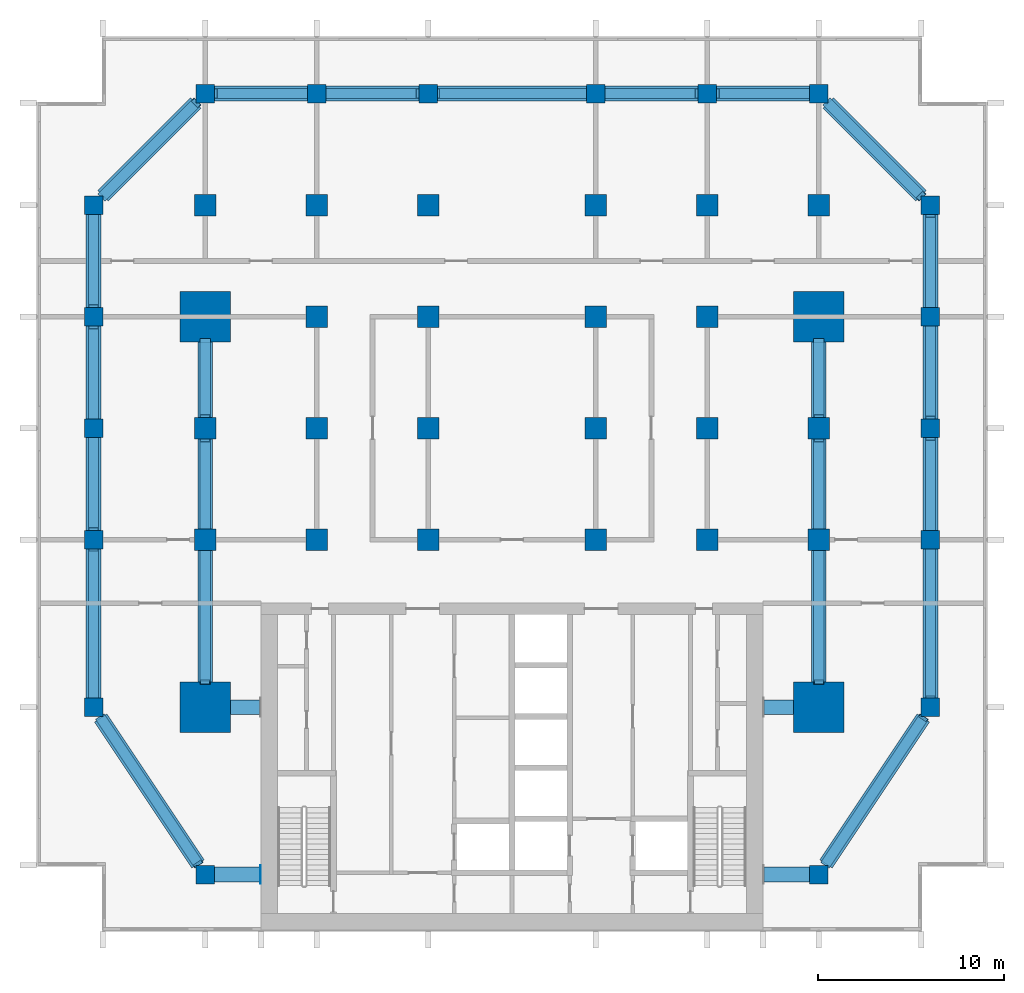
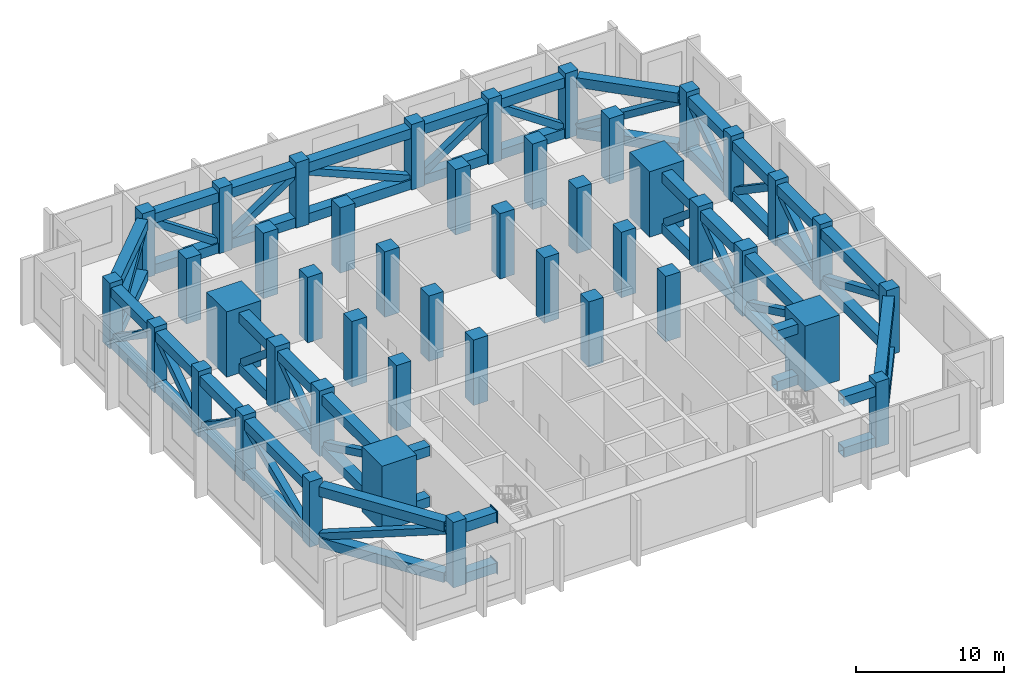
# One storey, part 1 of 12: 77 members, 44 columns, 2 plates.
"""IFC4 building model written with IfcOpenShell, lengths in metres."""

from ifc_helpers import new_model, si_unit, direction, frame, origin, origin_2d, place, context, subcontext, project, spatial, rectangle, hollow_rectangle, extrude, material, layer, layer_set, material_profile, profile_set, type_object, element, save


model = new_model("IFC4")

# Units and contexts
model_context = context("Model", 3, precision=1e-05, world=origin(), true_north=direction((0.0, 1.0)))
body_context = subcontext(model_context, "Body", "Model", "MODEL_VIEW")
ifc_project = project(units=[si_unit("LENGTHUNIT", "METRE"), si_unit("AREAUNIT", "SQUARE_METRE"), si_unit("VOLUMEUNIT", "CUBIC_METRE"), si_unit("PLANEANGLEUNIT", "RADIAN"), si_unit("MASSUNIT", "GRAM", prefix="KILO")], contexts=[model_context])

# Site, building, storey
site_placement = place(None, origin())
site = spatial("IfcSite", under=ifc_project, at=site_placement, CompositionType="ELEMENT")
building_placement = place(site_placement, origin())
building = spatial("IfcBuilding", under=site, at=building_placement, Name="Finial Court Residences", CompositionType="ELEMENT")
storey_placement = place(building_placement, frame((0.0, 0.0, 143.89990234375)))
storey = spatial("IfcBuildingStorey", under=building, at=storey_placement, Name="L35", CompositionType="ELEMENT", Elevation=143.89990234375)

# Columns
ifc_material_1 = material(Name="Concrete C70/85", Category="concrete")
ifc_material_profile_1 = material_profile(ifc_material_1, rectangle(XDim=1.14990234375, YDim=1.14990234375, at=origin_2d()), Name="1150x1150")
ifc_profile_set_1 = profile_set([ifc_material_profile_1], Name="Concrete C70/85")
column_type_1 = type_object("IfcColumnType", Name="Interior column 1150x1150 Concrete C70/85", PredefinedType="COLUMN", material=ifc_profile_set_1)
for number, where, z_axis, x_axis, name in (
    (1, (-16.5, -4.5, 0.0), (0.0, 0.0, 1.0), (1.0, 0.0, 0.0), "S:COL:L35:C4"),
    (2, (-16.5, 1.5, 0.0), (0.0, 0.0, 1.0), (1.0, 0.0, 0.0), "S:COL:L35:C5"),
    (3, (-16.5, 13.5, 0.0), (0.0, 0.0, 1.0), (1.0, 0.0, 0.0), "S:COL:L35:C7"),
    (4, (-10.5, -4.5, 0.0), (0.0, 0.0, 1.0), (1.0, 0.0, 0.0), "S:COL:L35:D4"),
    (5, (-10.5, 1.5, 0.0), (0.0, 0.0, 1.0), (1.0, 0.0, 0.0), "S:COL:L35:D5"),
    (6, (-10.5, 7.5, 0.0), (0.0, 0.0, 1.0), (1.0, 0.0, 0.0), "S:COL:L35:D6"),
    (7, (-10.5, 13.5, 0.0), (0.0, 0.0, 1.0), (1.0, 0.0, 0.0), "S:COL:L35:D7"),
    (8, (-4.5, -4.5, 0.0), (0.0, 0.0, 1.0), (1.0, 0.0, 0.0), "S:COL:L35:E4"),
    (9, (-4.5, 1.5, 0.0), (0.0, 0.0, 1.0), (1.0, 0.0, 0.0), "S:COL:L35:E5"),
    (10, (-4.5, 7.5, 0.0), (0.0, 0.0, 1.0), (1.0, 0.0, 0.0), "S:COL:L35:E6"),
    (11, (-4.5, 13.5, 0.0), (0.0, 0.0, 1.0), (1.0, 0.0, 0.0), "S:COL:L35:E7"),
    (12, (4.5, -4.5, 0.0), (0.0, 0.0, 1.0), (1.0, 0.0, 0.0), "S:COL:L35:F4"),
    (13, (4.5, 1.5, 0.0), (0.0, 0.0, 1.0), (1.0, 0.0, 0.0), "S:COL:L35:F5"),
    (14, (4.5, 7.5, 0.0), (0.0, 0.0, 1.0), (1.0, 0.0, 0.0), "S:COL:L35:F6"),
    (15, (4.5, 13.5, 0.0), (0.0, 0.0, 1.0), (1.0, 0.0, 0.0), "S:COL:L35:F7"),
    (16, (10.5, -4.5, 0.0), (0.0, 0.0, 1.0), (1.0, 0.0, 0.0), "S:COL:L35:G4"),
    (17, (10.5, 1.5, 0.0), (0.0, 0.0, 1.0), (1.0, 0.0, 0.0), "S:COL:L35:G5"),
    (18, (10.5, 7.5, 0.0), (0.0, 0.0, 1.0), (1.0, 0.0, 0.0), "S:COL:L35:G6"),
    (19, (10.5, 13.5, 0.0), (0.0, 0.0, 1.0), (1.0, 0.0, 0.0), "S:COL:L35:G7"),
    (20, (16.5, -4.5, 0.0), (0.0, 0.0, 1.0), (1.0, 0.0, 0.0), "S:COL:L35:H4"),
    (21, (16.5, 1.5, 0.0), (0.0, 0.0, 1.0), (1.0, 0.0, 0.0), "S:COL:L35:H5"),
    (22, (16.5, 13.5, 0.0), (0.0, 0.0, 1.0), (1.0, 0.0, 0.0), "S:COL:L35:H7"),
):
    element("IfcColumn", number, at=place(storey_placement, frame(where, z_axis=z_axis, x_axis=x_axis)), inside=storey, type_object=column_type_1, Name=name, PredefinedType="COLUMN", context=body_context, shape_type="SweptSolid", body=[
        extrude(rectangle(XDim=1.14990234375, YDim=1.14990234375, at=origin_2d()), origin(), (0.0, 0.0, 1.0), 5.400146484375),
    ])
ifc_material_profile_2 = material_profile(ifc_material_1, rectangle(XDim=2.699951171875, YDim=2.699951171875, at=origin_2d()), Name="2700x2700")
ifc_profile_set_2 = profile_set([ifc_material_profile_2], Name="Concrete C70/85")
column_type_2 = type_object("IfcColumnType", Name="Mega column 2700x2700 Concrete C70/85", PredefinedType="COLUMN", material=ifc_profile_set_2)
for number, where, z_axis, x_axis, name in (
    (23, (-16.5, -13.5, 0.0), (0.0, 0.0, 1.0), (1.0, 0.0, 0.0), "S:COL:L35:C3"),
    (24, (-16.5, 7.5, 0.0), (0.0, 0.0, 1.0), (1.0, 0.0, 0.0), "S:COL:L35:C6"),
    (25, (16.5, -13.5, 0.0), (0.0, 0.0, 1.0), (1.0, 0.0, 0.0), "S:COL:L35:H3"),
    (26, (16.5, 7.5, 0.0), (0.0, 0.0, 1.0), (1.0, 0.0, 0.0), "S:COL:L35:H6"),
):
    element("IfcColumn", number, at=place(storey_placement, frame(where, z_axis=z_axis, x_axis=x_axis)), inside=storey, type_object=column_type_2, Name=name, PredefinedType="COLUMN", context=body_context, shape_type="SweptSolid", body=[
        extrude(rectangle(XDim=2.699951171875, YDim=2.699951171875, at=origin_2d()), origin(), (0.0, 0.0, 1.0), 5.400146484375),
    ])
ifc_material_profile_3 = material_profile(ifc_material_1, rectangle(XDim=1.0, YDim=1.0, at=origin_2d()), Name="1000x1000")
ifc_profile_set_3 = profile_set([ifc_material_profile_3], Name="Concrete C70/85")
column_type_3 = type_object("IfcColumnType", Name="Perimeter column 1000x1000 Concrete C70/85", PredefinedType="COLUMN", material=ifc_profile_set_3)
for number, where, z_axis, x_axis, name in (
    (27, (-22.5, -13.5, 0.0), (0.0, 0.0, 1.0), (1.0, 0.0, 0.0), "S:COL:L35:B3"),
    (28, (-22.5, -4.5, 0.0), (0.0, 0.0, 1.0), (1.0, 0.0, 0.0), "S:COL:L35:B4"),
    (29, (-22.5, 1.5, 0.0), (0.0, 0.0, 1.0), (1.0, 0.0, 0.0), "S:COL:L35:B5"),
    (30, (-22.5, 7.5, 0.0), (0.0, 0.0, 1.0), (1.0, 0.0, 0.0), "S:COL:L35:B6"),
    (31, (-22.5, 13.5, 0.0), (0.0, 0.0, 1.0), (1.0, 0.0, 0.0), "S:COL:L35:B7"),
    (32, (-16.5, -22.5, 0.0), (0.0, 0.0, 1.0), (1.0, 0.0, 0.0), "S:COL:L35:C2"),
    (33, (-16.5, 19.5, 0.0), (0.0, 0.0, 1.0), (1.0, 0.0, 0.0), "S:COL:L35:C8"),
    (34, (-10.5, 19.5, 0.0), (0.0, 0.0, 1.0), (1.0, 0.0, 0.0), "S:COL:L35:D8"),
    (35, (-4.5, 19.5, 0.0), (0.0, 0.0, 1.0), (1.0, 0.0, 0.0), "S:COL:L35:E8"),
    (36, (4.5, 19.5, 0.0), (0.0, 0.0, 1.0), (1.0, 0.0, 0.0), "S:COL:L35:F8"),
    (37, (10.5, 19.5, 0.0), (0.0, 0.0, 1.0), (1.0, 0.0, 0.0), "S:COL:L35:G8"),
    (38, (16.5, -22.5, 0.0), (0.0, 0.0, 1.0), (1.0, 0.0, 0.0), "S:COL:L35:H2"),
    (39, (16.5, 19.5, 0.0), (0.0, 0.0, 1.0), (1.0, 0.0, 0.0), "S:COL:L35:H8"),
    (40, (22.5, -13.5, 0.0), (0.0, 0.0, 1.0), (1.0, 0.0, 0.0), "S:COL:L35:I3"),
    (41, (22.5, -4.5, 0.0), (0.0, 0.0, 1.0), (1.0, 0.0, 0.0), "S:COL:L35:I4"),
    (42, (22.5, 1.5, 0.0), (0.0, 0.0, 1.0), (1.0, 0.0, 0.0), "S:COL:L35:I5"),
    (43, (22.5, 7.5, 0.0), (0.0, 0.0, 1.0), (1.0, 0.0, 0.0), "S:COL:L35:I6"),
    (44, (22.5, 13.5, 0.0), (0.0, 0.0, 1.0), (1.0, 0.0, 0.0), "S:COL:L35:I7"),
):
    element("IfcColumn", number, at=place(storey_placement, frame(where, z_axis=z_axis, x_axis=x_axis)), inside=storey, type_object=column_type_3, Name=name, PredefinedType="COLUMN", context=body_context, shape_type="SweptSolid", body=[
        extrude(rectangle(XDim=1.0, YDim=1.0, at=origin_2d()), origin(), (0.0, 0.0, 1.0), 5.400146484375),
    ])

# Members
ifc_material_2 = material(Name="Steel ASTM A572 Gr 50", Category="steel")
ifc_material_profile_4 = material_profile(ifc_material_2, hollow_rectangle(XDim=0.800048828125, YDim=0.800048828125, WallThickness=0.044921875, at=origin_2d()), Name="Box 800x800x45")
ifc_profile_set_4 = profile_set([ifc_material_profile_4], Name="Steel ASTM A572 Gr 50")
member_type_1 = type_object("IfcMemberType", Name="Belt truss chord Box 800x800x45", PredefinedType="CHORD", material=ifc_profile_set_4)
for number, where, z_axis, x_axis, name in (
    (45, (-13.550048828125, -22.5, 0.400146484375), (-1.0, 0.0, 0.0), (0.0, -1.0, 0.0), "S:TR:L35:01:B"),
    (46, (-13.550048828125, -22.5, 4.59912109375), (-1.0, 0.0, 0.0), (0.0, -1.0, 0.0), "S:TR:L35:01:T"),
):
    element("IfcMember", number, at=place(storey_placement, frame(where, z_axis=z_axis, x_axis=x_axis)), inside=storey, type_object=member_type_1, Name=name, PredefinedType="CHORD", context=body_context, shape_type="SweptSolid", body=[
        extrude(hollow_rectangle(XDim=0.800048828125, YDim=0.800048828125, WallThickness=0.044921875, at=origin_2d()), origin(), (0.0, 0.0, 1.0), 2.449951171875),
    ])
for number, where, z_axis, x_axis, name in (
    (47, (-16.884521484375, -21.923095703125, 0.400146484375), (-0.554712145248, 0.832042328199, 0.0), (-0.832042328199, -0.554712145248, 0.0), "S:TR:L35:02:B"),
    (48, (-16.884521484375, -21.923095703125, 4.59912109375), (-0.554712145248, 0.832042328199, 0.0), (-0.832042328199, -0.554712145248, 0.0), "S:TR:L35:02:T"),
):
    element("IfcMember", number, at=place(storey_placement, frame(where, z_axis=z_axis, x_axis=x_axis)), inside=storey, type_object=member_type_1, Name=name, PredefinedType="CHORD", context=body_context, shape_type="SweptSolid", body=[
        extrude(hollow_rectangle(XDim=0.800048828125, YDim=0.800048828125, WallThickness=0.044921875, at=origin_2d()), origin(), (0.0, 0.0, 1.0), 9.429931640625),
    ])
for number, where, z_axis, x_axis, name in (
    (49, (-22.5, -13.0, 0.400146484375), (0.0, 1.0, 0.0), (-1.0, 0.0, 0.0), "S:TR:L35:03:B"),
    (50, (-22.5, -13.0, 4.59912109375), (0.0, 1.0, 0.0), (-1.0, 0.0, 0.0), "S:TR:L35:03:T"),
):
    element("IfcMember", number, at=place(storey_placement, frame(where, z_axis=z_axis, x_axis=x_axis)), inside=storey, type_object=member_type_1, Name=name, PredefinedType="CHORD", context=body_context, shape_type="SweptSolid", body=[
        extrude(hollow_rectangle(XDim=0.800048828125, YDim=0.800048828125, WallThickness=0.044921875, at=origin_2d()), origin(), (0.0, 0.0, 1.0), 8.0),
    ])
for number, where, z_axis, x_axis, name in (
    (51, (-22.5, -4.0, 0.400146484375), (0.0, 1.0, 0.0), (-1.0, 0.0, 0.0), "S:TR:L35:04:B"),
    (52, (-22.5, -4.0, 4.59912109375), (0.0, 1.0, 0.0), (-1.0, 0.0, 0.0), "S:TR:L35:04:T"),
    (53, (-22.5, 2.0, 0.400146484375), (0.0, 1.0, 0.0), (-1.0, 0.0, 0.0), "S:TR:L35:05:B"),
    (54, (-22.5, 2.0, 4.59912109375), (0.0, 1.0, 0.0), (-1.0, 0.0, 0.0), "S:TR:L35:05:T"),
    (55, (-22.5, 8.0, 0.400146484375), (0.0, 1.0, 0.0), (-1.0, 0.0, 0.0), "S:TR:L35:06:B"),
    (56, (-22.5, 8.0, 4.59912109375), (0.0, 1.0, 0.0), (-1.0, 0.0, 0.0), "S:TR:L35:06:T"),
):
    element("IfcMember", number, at=place(storey_placement, frame(where, z_axis=z_axis, x_axis=x_axis)), inside=storey, type_object=member_type_1, Name=name, PredefinedType="CHORD", context=body_context, shape_type="SweptSolid", body=[
        extrude(hollow_rectangle(XDim=0.800048828125, YDim=0.800048828125, WallThickness=0.044921875, at=origin_2d()), origin(), (0.0, 0.0, 1.0), 5.0),
    ])
for number, where, z_axis, x_axis, name in (
    (57, (-22.0, 14.0, 0.400146484375), (0.707106781187, 0.707106781187, 0.0), (-0.707106781187, 0.707106781187, 0.0), "S:TR:L35:07:B"),
    (58, (-22.0, 14.0, 4.59912109375), (0.707106781187, 0.707106781187, 0.0), (-0.707106781187, 0.707106781187, 0.0), "S:TR:L35:07:T"),
):
    element("IfcMember", number, at=place(storey_placement, frame(where, z_axis=z_axis, x_axis=x_axis)), inside=storey, type_object=member_type_1, Name=name, PredefinedType="CHORD", context=body_context, shape_type="SweptSolid", body=[
        extrude(hollow_rectangle(XDim=0.800048828125, YDim=0.800048828125, WallThickness=0.044921875, at=origin_2d()), origin(), (0.0, 0.0, 1.0), 7.071044921875),
    ])
for number, where, z_axis, x_axis, name in (
    (59, (-16.0, 19.5, 0.400146484375), (1.0, 0.0, 0.0), (0.0, 1.0, 0.0), "S:TR:L35:08:B"),
    (60, (-16.0, 19.5, 4.59912109375), (1.0, 0.0, 0.0), (0.0, 1.0, 0.0), "S:TR:L35:08:T"),
    (61, (-10.0, 19.5, 0.400146484375), (1.0, 0.0, 0.0), (0.0, 1.0, 0.0), "S:TR:L35:09:B"),
    (62, (-10.0, 19.5, 4.59912109375), (1.0, 0.0, 0.0), (0.0, 1.0, 0.0), "S:TR:L35:09:T"),
):
    element("IfcMember", number, at=place(storey_placement, frame(where, z_axis=z_axis, x_axis=x_axis)), inside=storey, type_object=member_type_1, Name=name, PredefinedType="CHORD", context=body_context, shape_type="SweptSolid", body=[
        extrude(hollow_rectangle(XDim=0.800048828125, YDim=0.800048828125, WallThickness=0.044921875, at=origin_2d()), origin(), (0.0, 0.0, 1.0), 5.0),
    ])
for number, where, z_axis, x_axis, name in (
    (63, (-4.0, 19.5, 0.400146484375), (1.0, 0.0, 0.0), (0.0, 1.0, 0.0), "S:TR:L35:10:B"),
    (64, (-4.0, 19.5, 4.59912109375), (1.0, 0.0, 0.0), (0.0, 1.0, 0.0), "S:TR:L35:10:T"),
):
    element("IfcMember", number, at=place(storey_placement, frame(where, z_axis=z_axis, x_axis=x_axis)), inside=storey, type_object=member_type_1, Name=name, PredefinedType="CHORD", context=body_context, shape_type="SweptSolid", body=[
        extrude(hollow_rectangle(XDim=0.800048828125, YDim=0.800048828125, WallThickness=0.044921875, at=origin_2d()), origin(), (0.0, 0.0, 1.0), 8.0),
    ])
for number, where, z_axis, x_axis, name in (
    (65, (5.0, 19.5, 0.400146484375), (1.0, 0.0, 0.0), (0.0, 1.0, 0.0), "S:TR:L35:11:B"),
    (66, (5.0, 19.5, 4.59912109375), (1.0, 0.0, 0.0), (0.0, 1.0, 0.0), "S:TR:L35:11:T"),
    (67, (11.0, 19.5, 0.400146484375), (1.0, 0.0, 0.0), (0.0, 1.0, 0.0), "S:TR:L35:12:B"),
    (68, (11.0, 19.5, 4.59912109375), (1.0, 0.0, 0.0), (0.0, 1.0, 0.0), "S:TR:L35:12:T"),
):
    element("IfcMember", number, at=place(storey_placement, frame(where, z_axis=z_axis, x_axis=x_axis)), inside=storey, type_object=member_type_1, Name=name, PredefinedType="CHORD", context=body_context, shape_type="SweptSolid", body=[
        extrude(hollow_rectangle(XDim=0.800048828125, YDim=0.800048828125, WallThickness=0.044921875, at=origin_2d()), origin(), (0.0, 0.0, 1.0), 5.0),
    ])
for number, where, z_axis, x_axis, name in (
    (69, (17.0, 19.0, 0.400146484375), (0.707106781187, -0.707106781187, 0.0), (0.707106781187, 0.707106781187, 0.0), "S:TR:L35:13:B"),
    (70, (17.0, 19.0, 4.59912109375), (0.707106781187, -0.707106781187, 0.0), (0.707106781187, 0.707106781187, 0.0), "S:TR:L35:13:T"),
):
    element("IfcMember", number, at=place(storey_placement, frame(where, z_axis=z_axis, x_axis=x_axis)), inside=storey, type_object=member_type_1, Name=name, PredefinedType="CHORD", context=body_context, shape_type="SweptSolid", body=[
        extrude(hollow_rectangle(XDim=0.800048828125, YDim=0.800048828125, WallThickness=0.044921875, at=origin_2d()), origin(), (0.0, 0.0, 1.0), 7.071044921875),
    ])
for number, where, z_axis, x_axis, name in (
    (71, (22.5, 13.0, 0.400146484375), (0.0, -1.0, 0.0), (1.0, 0.0, 0.0), "S:TR:L35:14:B"),
    (72, (22.5, 13.0, 4.59912109375), (0.0, -1.0, 0.0), (1.0, 0.0, 0.0), "S:TR:L35:14:T"),
    (73, (22.5, 7.0, 0.400146484375), (0.0, -1.0, 0.0), (1.0, 0.0, 0.0), "S:TR:L35:15:B"),
    (74, (22.5, 7.0, 4.59912109375), (0.0, -1.0, 0.0), (1.0, 0.0, 0.0), "S:TR:L35:15:T"),
    (75, (22.5, 1.0, 0.400146484375), (0.0, -1.0, 0.0), (1.0, 0.0, 0.0), "S:TR:L35:16:B"),
    (76, (22.5, 1.0, 4.59912109375), (0.0, -1.0, 0.0), (1.0, 0.0, 0.0), "S:TR:L35:16:T"),
):
    element("IfcMember", number, at=place(storey_placement, frame(where, z_axis=z_axis, x_axis=x_axis)), inside=storey, type_object=member_type_1, Name=name, PredefinedType="CHORD", context=body_context, shape_type="SweptSolid", body=[
        extrude(hollow_rectangle(XDim=0.800048828125, YDim=0.800048828125, WallThickness=0.044921875, at=origin_2d()), origin(), (0.0, 0.0, 1.0), 5.0),
    ])
for number, where, z_axis, x_axis, name in (
    (77, (22.5, -5.0, 0.400146484375), (0.0, -1.0, 0.0), (1.0, 0.0, 0.0), "S:TR:L35:17:B"),
    (78, (22.5, -5.0, 4.59912109375), (0.0, -1.0, 0.0), (1.0, 0.0, 0.0), "S:TR:L35:17:T"),
):
    element("IfcMember", number, at=place(storey_placement, frame(where, z_axis=z_axis, x_axis=x_axis)), inside=storey, type_object=member_type_1, Name=name, PredefinedType="CHORD", context=body_context, shape_type="SweptSolid", body=[
        extrude(hollow_rectangle(XDim=0.800048828125, YDim=0.800048828125, WallThickness=0.044921875, at=origin_2d()), origin(), (0.0, 0.0, 1.0), 8.0),
    ])
for number, where, z_axis, x_axis, name in (
    (79, (22.115478515625, -14.076904296875, 0.400146484375), (-0.554712145248, -0.832042328199, 0.0), (0.832042328199, -0.554712145248, 0.0), "S:TR:L35:18:B"),
    (80, (22.115478515625, -14.076904296875, 4.59912109375), (-0.554712145248, -0.832042328199, 0.0), (0.832042328199, -0.554712145248, 0.0), "S:TR:L35:18:T"),
):
    element("IfcMember", number, at=place(storey_placement, frame(where, z_axis=z_axis, x_axis=x_axis)), inside=storey, type_object=member_type_1, Name=name, PredefinedType="CHORD", context=body_context, shape_type="SweptSolid", body=[
        extrude(hollow_rectangle(XDim=0.800048828125, YDim=0.800048828125, WallThickness=0.044921875, at=origin_2d()), origin(), (0.0, 0.0, 1.0), 9.429931640625),
    ])
for number, where, z_axis, x_axis, name in (
    (81, (16.0, -22.5, 0.400146484375), (-1.0, 0.0, 0.0), (0.0, -1.0, 0.0), "S:TR:L35:19:B"),
    (82, (16.0, -22.5, 4.59912109375), (-1.0, 0.0, 0.0), (0.0, -1.0, 0.0), "S:TR:L35:19:T"),
):
    element("IfcMember", number, at=place(storey_placement, frame(where, z_axis=z_axis, x_axis=x_axis)), inside=storey, type_object=member_type_1, Name=name, PredefinedType="CHORD", context=body_context, shape_type="SweptSolid", body=[
        extrude(hollow_rectangle(XDim=0.800048828125, YDim=0.800048828125, WallThickness=0.044921875, at=origin_2d()), origin(), (0.0, 0.0, 1.0), 2.449951171875),
    ])
ifc_material_profile_5 = material_profile(ifc_material_2, hollow_rectangle(XDim=0.550048828125, YDim=0.550048828125, WallThickness=0.034912109375, at=origin_2d()), Name="Box 550x550x35")
ifc_profile_set_5 = profile_set([ifc_material_profile_5], Name="Steel ASTM A572 Gr 50")
member_type_2 = type_object("IfcMemberType", Name="Belt truss diagonal Box 550x550x35", PredefinedType="BRACE", material=ifc_profile_set_5)
member_1_placement = place(storey_placement, frame((-16.884521484375, -21.923095703125, 4.19921875), z_axis=(-0.52184480821, 0.782742856634, -0.339104138183), x_axis=(-0.832042328199, -0.554712145248, 0.0)))
element("IfcMember", 83, at=member_1_placement, inside=storey, type_object=member_type_2, Name="S:TR:L35:02:D", PredefinedType="BRACE", context=body_context, shape_type="SweptSolid", body=[
    extrude(hollow_rectangle(XDim=0.550048828125, YDim=0.550048828125, WallThickness=0.034912109375, at=origin_2d()), origin(), (0.0, 0.0, 1.0), 10.02392578125),
])
member_2_placement = place(storey_placement, frame((-22.5, -13.0, 0.800048828125), z_axis=(0.0, 0.920365291761, 0.391059752112), x_axis=(-1.0, 0.0, 0.0)))
element("IfcMember", 84, at=member_2_placement, inside=storey, type_object=member_type_2, Name="S:TR:L35:03:D", PredefinedType="BRACE", context=body_context, shape_type="SweptSolid", body=[
    extrude(hollow_rectangle(XDim=0.550048828125, YDim=0.550048828125, WallThickness=0.034912109375, at=origin_2d()), origin(), (0.0, 0.0, 1.0), 8.692138671875),
])
for number, where, z_axis, x_axis, name in (
    (85, (-22.5, -4.0, 4.19921875), (0.0, 0.826990336631, -0.562216135591), (-1.0, 0.0, 0.0), "S:TR:L35:04:D"),
    (86, (-22.5, 2.0, 0.800048828125), (0.0, 0.826990336631, 0.562216135591), (-1.0, 0.0, 0.0), "S:TR:L35:05:D"),
    (87, (-22.5, 8.0, 4.19921875), (0.0, 0.826990336631, -0.562216135591), (-1.0, 0.0, 0.0), "S:TR:L35:06:D"),
):
    element("IfcMember", number, at=place(storey_placement, frame(where, z_axis=z_axis, x_axis=x_axis)), inside=storey, type_object=member_type_2, Name=name, PredefinedType="BRACE", context=body_context, shape_type="SweptSolid", body=[
        extrude(hollow_rectangle(XDim=0.550048828125, YDim=0.550048828125, WallThickness=0.034912109375, at=origin_2d()), origin(), (0.0, 0.0, 1.0), 6.0458984375),
    ])
member_3_placement = place(storey_placement, frame((-22.0, 14.0, 0.800048828125), z_axis=(0.637295141808, 0.637295141808, 0.433254895478), x_axis=(-0.707106781187, 0.707106781187, 0.0)))
element("IfcMember", 88, at=member_3_placement, inside=storey, type_object=member_type_2, Name="S:TR:L35:07:D", PredefinedType="BRACE", context=body_context, shape_type="SweptSolid", body=[
    extrude(hollow_rectangle(XDim=0.550048828125, YDim=0.550048828125, WallThickness=0.034912109375, at=origin_2d()), origin(), (0.0, 0.0, 1.0), 7.845703125),
])
for number, where, z_axis, x_axis, name in (
    (89, (-16.0, 19.5, 4.19921875), (0.826990336631, 0.0, -0.562216135591), (0.0, 1.0, 0.0), "S:TR:L35:08:D"),
    (90, (-10.0, 19.5, 0.800048828125), (0.826990336631, 0.0, 0.562216135591), (0.0, 1.0, 0.0), "S:TR:L35:09:D"),
):
    element("IfcMember", number, at=place(storey_placement, frame(where, z_axis=z_axis, x_axis=x_axis)), inside=storey, type_object=member_type_2, Name=name, PredefinedType="BRACE", context=body_context, shape_type="SweptSolid", body=[
        extrude(hollow_rectangle(XDim=0.550048828125, YDim=0.550048828125, WallThickness=0.034912109375, at=origin_2d()), origin(), (0.0, 0.0, 1.0), 6.0458984375),
    ])
member_4_placement = place(storey_placement, frame((-4.0, 19.5, 4.19921875), z_axis=(0.920365291761, 0.0, -0.391059752112), x_axis=(0.0, 1.0, 0.0)))
element("IfcMember", 91, at=member_4_placement, inside=storey, type_object=member_type_2, Name="S:TR:L35:10:D", PredefinedType="BRACE", context=body_context, shape_type="SweptSolid", body=[
    extrude(hollow_rectangle(XDim=0.550048828125, YDim=0.550048828125, WallThickness=0.034912109375, at=origin_2d()), origin(), (0.0, 0.0, 1.0), 8.692138671875),
])
for number, where, z_axis, x_axis, name in (
    (92, (5.0, 19.5, 0.800048828125), (0.826990336631, 0.0, 0.562216135591), (0.0, 1.0, 0.0), "S:TR:L35:11:D"),
    (93, (11.0, 19.5, 4.19921875), (0.826990336631, 0.0, -0.562216135591), (0.0, 1.0, 0.0), "S:TR:L35:12:D"),
):
    element("IfcMember", number, at=place(storey_placement, frame(where, z_axis=z_axis, x_axis=x_axis)), inside=storey, type_object=member_type_2, Name=name, PredefinedType="BRACE", context=body_context, shape_type="SweptSolid", body=[
        extrude(hollow_rectangle(XDim=0.550048828125, YDim=0.550048828125, WallThickness=0.034912109375, at=origin_2d()), origin(), (0.0, 0.0, 1.0), 6.0458984375),
    ])
member_5_placement = place(storey_placement, frame((17.0, 19.0, 0.800048828125), z_axis=(0.637295141808, -0.637295141808, 0.433254895478), x_axis=(0.707106781187, 0.707106781187, 0.0)))
element("IfcMember", 94, at=member_5_placement, inside=storey, type_object=member_type_2, Name="S:TR:L35:13:D", PredefinedType="BRACE", context=body_context, shape_type="SweptSolid", body=[
    extrude(hollow_rectangle(XDim=0.550048828125, YDim=0.550048828125, WallThickness=0.034912109375, at=origin_2d()), origin(), (0.0, 0.0, 1.0), 7.845703125),
])
for number, where, z_axis, x_axis, name in (
    (95, (22.5, 13.0, 4.19921875), (0.0, -0.826990336631, -0.562216135591), (1.0, 0.0, 0.0), "S:TR:L35:14:D"),
    (96, (22.5, 7.0, 0.800048828125), (0.0, -0.826990336631, 0.562216135591), (1.0, 0.0, 0.0), "S:TR:L35:15:D"),
    (97, (22.5, 1.0, 4.19921875), (0.0, -0.826990336631, -0.562216135591), (1.0, 0.0, 0.0), "S:TR:L35:16:D"),
):
    element("IfcMember", number, at=place(storey_placement, frame(where, z_axis=z_axis, x_axis=x_axis)), inside=storey, type_object=member_type_2, Name=name, PredefinedType="BRACE", context=body_context, shape_type="SweptSolid", body=[
        extrude(hollow_rectangle(XDim=0.550048828125, YDim=0.550048828125, WallThickness=0.034912109375, at=origin_2d()), origin(), (0.0, 0.0, 1.0), 6.0458984375),
    ])
member_6_placement = place(storey_placement, frame((22.5, -5.0, 0.800048828125), z_axis=(0.0, -0.920365291761, 0.391059752112), x_axis=(1.0, 0.0, 0.0)))
element("IfcMember", 98, at=member_6_placement, inside=storey, type_object=member_type_2, Name="S:TR:L35:17:D", PredefinedType="BRACE", context=body_context, shape_type="SweptSolid", body=[
    extrude(hollow_rectangle(XDim=0.550048828125, YDim=0.550048828125, WallThickness=0.034912109375, at=origin_2d()), origin(), (0.0, 0.0, 1.0), 8.692138671875),
])
member_7_placement = place(storey_placement, frame((22.115478515625, -14.076904296875, 4.19921875), z_axis=(-0.52184480821, -0.782742856634, -0.339104138183), x_axis=(0.832042328199, -0.554712145248, 0.0)))
element("IfcMember", 99, at=member_7_placement, inside=storey, type_object=member_type_2, Name="S:TR:L35:18:D", PredefinedType="BRACE", context=body_context, shape_type="SweptSolid", body=[
    extrude(hollow_rectangle(XDim=0.550048828125, YDim=0.550048828125, WallThickness=0.034912109375, at=origin_2d()), origin(), (0.0, 0.0, 1.0), 10.02392578125),
])
ifc_material_profile_6 = material_profile(ifc_material_2, hollow_rectangle(XDim=0.800048828125, YDim=0.800048828125, WallThickness=0.044921875, at=origin_2d()), Name="Box 800x800x45")
ifc_profile_set_6 = profile_set([ifc_material_profile_6], Name="Steel ASTM A572 Gr 50")
member_type_3 = type_object("IfcMemberType", Name="Outrigger truss chord Box 800x800x45", PredefinedType="CHORD", material=ifc_profile_set_6)
for number, where, z_axis, x_axis, name in (
    (100, (-13.550048828125, -13.5, 0.400146484375), (-1.0, 0.0, 0.0), (0.0, -1.0, 0.0), "S:TR:L35:20:B"),
    (101, (-13.550048828125, -13.5, 4.59912109375), (-1.0, 0.0, 0.0), (0.0, -1.0, 0.0), "S:TR:L35:20:T"),
):
    element("IfcMember", number, at=place(storey_placement, frame(where, z_axis=z_axis, x_axis=x_axis)), inside=storey, type_object=member_type_3, Name=name, PredefinedType="CHORD", context=body_context, shape_type="SweptSolid", body=[
        extrude(hollow_rectangle(XDim=0.800048828125, YDim=0.800048828125, WallThickness=0.044921875, at=origin_2d()), origin(), (0.0, 0.0, 1.0), 1.599853515625),
    ])
for number, where, z_axis, x_axis, name in (
    (102, (-16.5, -12.14990234375, 0.400146484375), (0.0, 1.0, 0.0), (-1.0, 0.0, 0.0), "S:TR:L35:21:B"),
    (103, (-16.5, -12.14990234375, 4.59912109375), (0.0, 1.0, 0.0), (-1.0, 0.0, 0.0), "S:TR:L35:21:T"),
):
    element("IfcMember", number, at=place(storey_placement, frame(where, z_axis=z_axis, x_axis=x_axis)), inside=storey, type_object=member_type_3, Name=name, PredefinedType="CHORD", context=body_context, shape_type="SweptSolid", body=[
        extrude(hollow_rectangle(XDim=0.800048828125, YDim=0.800048828125, WallThickness=0.044921875, at=origin_2d()), origin(), (0.0, 0.0, 1.0), 7.074951171875),
    ])
for number, where, z_axis, x_axis, name in (
    (104, (-16.5, -3.925048828125, 0.400146484375), (0.0, 1.0, 0.0), (-1.0, 0.0, 0.0), "S:TR:L35:22:B"),
    (105, (-16.5, -3.925048828125, 4.59912109375), (0.0, 1.0, 0.0), (-1.0, 0.0, 0.0), "S:TR:L35:22:T"),
):
    element("IfcMember", number, at=place(storey_placement, frame(where, z_axis=z_axis, x_axis=x_axis)), inside=storey, type_object=member_type_3, Name=name, PredefinedType="CHORD", context=body_context, shape_type="SweptSolid", body=[
        extrude(hollow_rectangle(XDim=0.800048828125, YDim=0.800048828125, WallThickness=0.044921875, at=origin_2d()), origin(), (0.0, 0.0, 1.0), 4.85009765625),
    ])
for number, where, z_axis, x_axis, name in (
    (106, (-16.5, 2.074951171875, 0.400146484375), (0.0, 1.0, 0.0), (-1.0, 0.0, 0.0), "S:TR:L35:23:B"),
    (107, (-16.5, 2.074951171875, 4.59912109375), (0.0, 1.0, 0.0), (-1.0, 0.0, 0.0), "S:TR:L35:23:T"),
):
    element("IfcMember", number, at=place(storey_placement, frame(where, z_axis=z_axis, x_axis=x_axis)), inside=storey, type_object=member_type_3, Name=name, PredefinedType="CHORD", context=body_context, shape_type="SweptSolid", body=[
        extrude(hollow_rectangle(XDim=0.800048828125, YDim=0.800048828125, WallThickness=0.044921875, at=origin_2d()), origin(), (0.0, 0.0, 1.0), 4.074951171875),
    ])
for number, where, z_axis, x_axis, name in (
    (108, (13.550048828125, -13.5, 0.400146484375), (1.0, 0.0, 0.0), (0.0, 1.0, 0.0), "S:TR:L35:24:B"),
    (109, (13.550048828125, -13.5, 4.59912109375), (1.0, 0.0, 0.0), (0.0, 1.0, 0.0), "S:TR:L35:24:T"),
):
    element("IfcMember", number, at=place(storey_placement, frame(where, z_axis=z_axis, x_axis=x_axis)), inside=storey, type_object=member_type_3, Name=name, PredefinedType="CHORD", context=body_context, shape_type="SweptSolid", body=[
        extrude(hollow_rectangle(XDim=0.800048828125, YDim=0.800048828125, WallThickness=0.044921875, at=origin_2d()), origin(), (0.0, 0.0, 1.0), 1.599853515625),
    ])
for number, where, z_axis, x_axis, name in (
    (110, (16.5, -12.14990234375, 0.400146484375), (0.0, 1.0, 0.0), (-1.0, 0.0, 0.0), "S:TR:L35:25:B"),
    (111, (16.5, -12.14990234375, 4.59912109375), (0.0, 1.0, 0.0), (-1.0, 0.0, 0.0), "S:TR:L35:25:T"),
):
    element("IfcMember", number, at=place(storey_placement, frame(where, z_axis=z_axis, x_axis=x_axis)), inside=storey, type_object=member_type_3, Name=name, PredefinedType="CHORD", context=body_context, shape_type="SweptSolid", body=[
        extrude(hollow_rectangle(XDim=0.800048828125, YDim=0.800048828125, WallThickness=0.044921875, at=origin_2d()), origin(), (0.0, 0.0, 1.0), 7.074951171875),
    ])
for number, where, z_axis, x_axis, name in (
    (112, (16.5, -3.925048828125, 0.400146484375), (0.0, 1.0, 0.0), (-1.0, 0.0, 0.0), "S:TR:L35:26:B"),
    (113, (16.5, -3.925048828125, 4.59912109375), (0.0, 1.0, 0.0), (-1.0, 0.0, 0.0), "S:TR:L35:26:T"),
):
    element("IfcMember", number, at=place(storey_placement, frame(where, z_axis=z_axis, x_axis=x_axis)), inside=storey, type_object=member_type_3, Name=name, PredefinedType="CHORD", context=body_context, shape_type="SweptSolid", body=[
        extrude(hollow_rectangle(XDim=0.800048828125, YDim=0.800048828125, WallThickness=0.044921875, at=origin_2d()), origin(), (0.0, 0.0, 1.0), 4.85009765625),
    ])
for number, where, z_axis, x_axis, name in (
    (114, (16.5, 2.074951171875, 0.400146484375), (0.0, 1.0, 0.0), (-1.0, 0.0, 0.0), "S:TR:L35:27:B"),
    (115, (16.5, 2.074951171875, 4.59912109375), (0.0, 1.0, 0.0), (-1.0, 0.0, 0.0), "S:TR:L35:27:T"),
):
    element("IfcMember", number, at=place(storey_placement, frame(where, z_axis=z_axis, x_axis=x_axis)), inside=storey, type_object=member_type_3, Name=name, PredefinedType="CHORD", context=body_context, shape_type="SweptSolid", body=[
        extrude(hollow_rectangle(XDim=0.800048828125, YDim=0.800048828125, WallThickness=0.044921875, at=origin_2d()), origin(), (0.0, 0.0, 1.0), 4.074951171875),
    ])
ifc_material_profile_7 = material_profile(ifc_material_2, hollow_rectangle(XDim=0.550048828125, YDim=0.550048828125, WallThickness=0.034912109375, at=origin_2d()), Name="Box 550x550x35")
ifc_profile_set_7 = profile_set([ifc_material_profile_7], Name="Steel ASTM A572 Gr 50")
member_type_4 = type_object("IfcMemberType", Name="Outrigger truss diagonal Box 550x550x35", PredefinedType="BRACE", material=ifc_profile_set_7)
member_8_placement = place(storey_placement, frame((-16.5, -12.14990234375, 4.19921875), z_axis=(0.0, 0.901364281232, -0.433061695973), x_axis=(-1.0, 0.0, 0.0)))
element("IfcMember", 116, at=member_8_placement, inside=storey, type_object=member_type_4, Name="S:TR:L35:21:D", PredefinedType="BRACE", context=body_context, shape_type="SweptSolid", body=[
    extrude(hollow_rectangle(XDim=0.550048828125, YDim=0.550048828125, WallThickness=0.034912109375, at=origin_2d()), origin(), (0.0, 0.0, 1.0), 7.84912109375),
])
member_9_placement = place(storey_placement, frame((-16.5, -3.925048828125, 0.800048828125), z_axis=(0.0, 0.818906443097, 0.573927031473), x_axis=(-1.0, 0.0, 0.0)))
element("IfcMember", 117, at=member_9_placement, inside=storey, type_object=member_type_4, Name="S:TR:L35:22:D", PredefinedType="BRACE", context=body_context, shape_type="SweptSolid", body=[
    extrude(hollow_rectangle(XDim=0.550048828125, YDim=0.550048828125, WallThickness=0.034912109375, at=origin_2d()), origin(), (0.0, 0.0, 1.0), 5.922607421875),
])
member_10_placement = place(storey_placement, frame((-16.5, 2.074951171875, 4.19921875), z_axis=(0.0, 0.767908187154, -0.640559923896), x_axis=(-1.0, 0.0, 0.0)))
element("IfcMember", 118, at=member_10_placement, inside=storey, type_object=member_type_4, Name="S:TR:L35:23:D", PredefinedType="BRACE", context=body_context, shape_type="SweptSolid", body=[
    extrude(hollow_rectangle(XDim=0.550048828125, YDim=0.550048828125, WallThickness=0.034912109375, at=origin_2d()), origin(), (0.0, 0.0, 1.0), 5.306640625),
])
member_11_placement = place(storey_placement, frame((16.5, -12.14990234375, 4.19921875), z_axis=(0.0, 0.901364281232, -0.433061695973), x_axis=(-1.0, 0.0, 0.0)))
element("IfcMember", 119, at=member_11_placement, inside=storey, type_object=member_type_4, Name="S:TR:L35:25:D", PredefinedType="BRACE", context=body_context, shape_type="SweptSolid", body=[
    extrude(hollow_rectangle(XDim=0.550048828125, YDim=0.550048828125, WallThickness=0.034912109375, at=origin_2d()), origin(), (0.0, 0.0, 1.0), 7.84912109375),
])
member_12_placement = place(storey_placement, frame((16.5, -3.925048828125, 0.800048828125), z_axis=(0.0, 0.818906443097, 0.573927031473), x_axis=(-1.0, 0.0, 0.0)))
element("IfcMember", 120, at=member_12_placement, inside=storey, type_object=member_type_4, Name="S:TR:L35:26:D", PredefinedType="BRACE", context=body_context, shape_type="SweptSolid", body=[
    extrude(hollow_rectangle(XDim=0.550048828125, YDim=0.550048828125, WallThickness=0.034912109375, at=origin_2d()), origin(), (0.0, 0.0, 1.0), 5.922607421875),
])
member_13_placement = place(storey_placement, frame((16.5, 2.074951171875, 4.19921875), z_axis=(0.0, 0.767908187154, -0.640559923896), x_axis=(-1.0, 0.0, 0.0)))
element("IfcMember", 121, at=member_13_placement, inside=storey, type_object=member_type_4, Name="S:TR:L35:27:D", PredefinedType="BRACE", context=body_context, shape_type="SweptSolid", body=[
    extrude(hollow_rectangle(XDim=0.550048828125, YDim=0.550048828125, WallThickness=0.034912109375, at=origin_2d()), origin(), (0.0, 0.0, 1.0), 5.306640625),
])

# Plates
ifc_layer = layer(ifc_material_2, 0.050048828125)
ifc_layer_set = layer_set([ifc_layer], Name="Cast-in plate 50")
plate_type = type_object("IfcPlateType", Name="Cast-in plate 50", PredefinedType="USERDEFINED", material=ifc_layer_set)
for number, where, z_axis, x_axis, name in (
    (122, (-13.52490234375, -22.5, -0.099853515625), (0.0, 0.0, 1.0), (1.0, 0.0, 0.0), "S:TR:L35:01:CP0B"),
    (123, (-13.52490234375, -22.5, 4.09912109375), (0.0, 0.0, 1.0), (1.0, 0.0, 0.0), "S:TR:L35:01:CP0T"),
):
    element("IfcPlate", number, at=place(storey_placement, frame(where, z_axis=z_axis, x_axis=x_axis)), inside=storey, type_object=plate_type, Name=name, ObjectType="Cast-in plate", PredefinedType="USERDEFINED", context=body_context, shape_type="SweptSolid", body=[
        extrude(rectangle(XDim=0.050048828125, YDim=1.0, at=origin_2d()), origin(), (0.0, 0.0, 1.0), 1.0),
    ])

save(model, "model.ifc")
